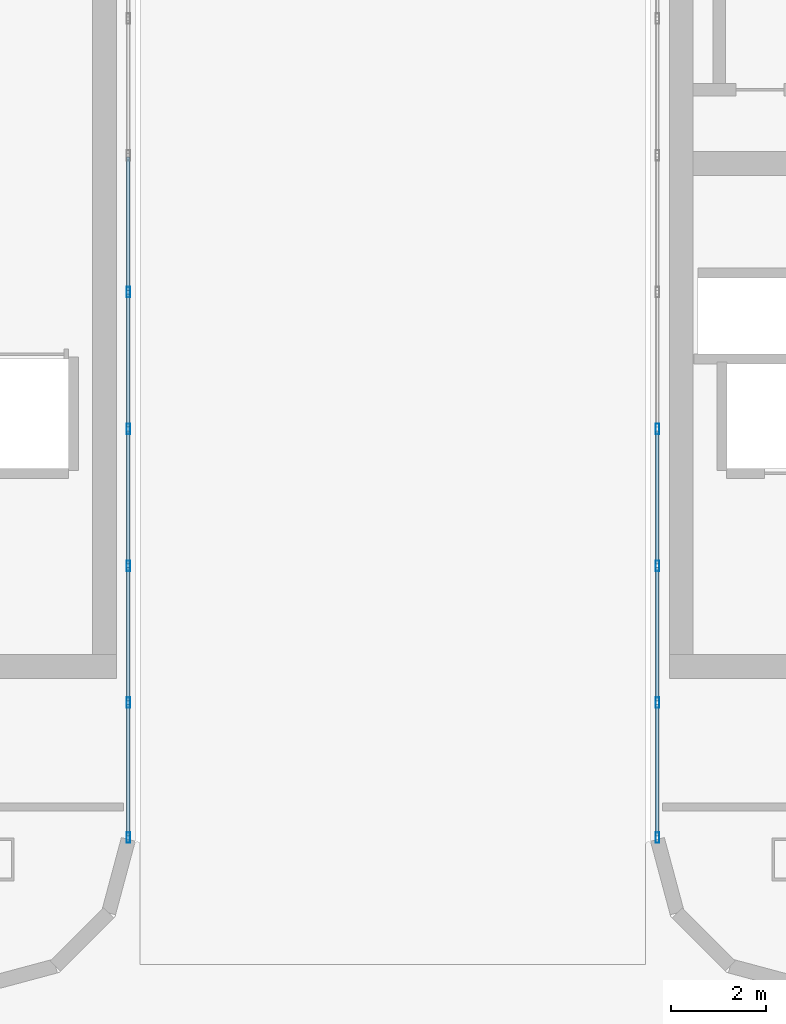
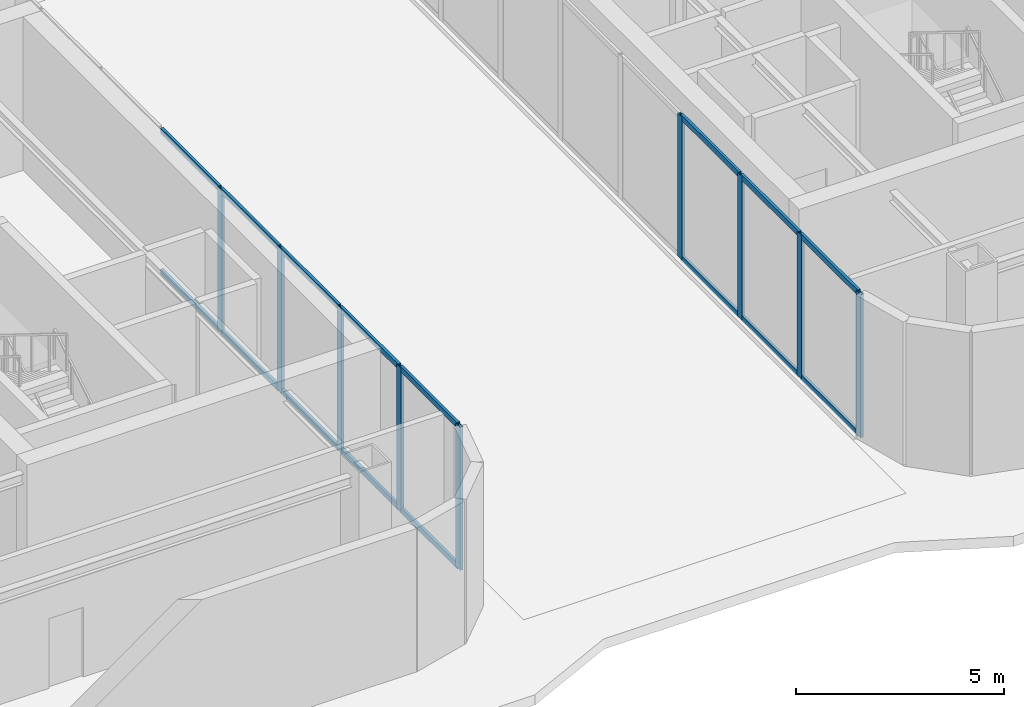
# One storey, part 2 of 14: 25 members, 2 elements without a shape of their own.
"""IFC4 building model written with IfcOpenShell, lengths in metres."""

from ifc_helpers import new_model, si_unit, direction, frame, origin, origin_2d, place, context, subcontext, project, spatial, hollow_rectangle, extrude, material, layer, layer_set, material_profile, profile_set, type_object, element, aggregate, save


model = new_model("IFC4")

# Units and contexts
model_context = context("Model", 3, precision=1e-05, world=origin(), true_north=direction((0.0, 1.0)))
body_context = subcontext(model_context, "Body", "Model", "MODEL_VIEW")
ifc_project = project(units=[si_unit("LENGTHUNIT", "METRE"), si_unit("AREAUNIT", "SQUARE_METRE"), si_unit("VOLUMEUNIT", "CUBIC_METRE"), si_unit("PLANEANGLEUNIT", "RADIAN"), si_unit("MASSUNIT", "GRAM", prefix="KILO")], contexts=[model_context])

# Site, building, storey
site_placement = place(None, origin())
site = spatial("IfcSite", under=ifc_project, at=site_placement, CompositionType="ELEMENT")
building_placement = place(site_placement, origin())
building = spatial("IfcBuilding", under=site, at=building_placement, Name="Kiyonajd Concourse Tower", CompositionType="ELEMENT")
storey_placement = place(building_placement, frame((0.0, 0.0, 354.89990234375)))
storey = spatial("IfcBuildingStorey", under=building, at=storey_placement, Name="L89", CompositionType="ELEMENT", Elevation=354.89990234375)

# Curtain wall, members
ifc_material = material(Name="Thermally Broken Anodised Aluminium", Category="aluminium")
ifc_layer = layer(ifc_material, 0.179931640625)
ifc_layer_set = layer_set([ifc_layer], Name="Thermally Broken Anodised Aluminium")
curtain_wall_type = type_object("IfcCurtainWallType", Name="CW-SYS-06", PredefinedType="NOTDEFINED", material=ifc_layer_set)
curtain_wall_1_placement = place(storey_placement, origin())
curtain_wall_1 = element("IfcCurtainWall", 1, at=curtain_wall_1_placement, inside=storey, type_object=curtain_wall_type, Name="L89 Unitised Curtain Wall CW6", PredefinedType="NOTDEFINED")
ifc_material_profile_1 = material_profile(ifc_material, hollow_rectangle(XDim=0.074951171875, YDim=0.219970703125, WallThickness=0.0048828125, at=origin_2d()), Name="MULL-75x220")
ifc_profile_set_1 = profile_set([ifc_material_profile_1], Name="Thermally Broken Anodised Aluminium")
member_type_1 = type_object("IfcMemberType", Name="MB-CW-MULL2", PredefinedType="MULLION", material=ifc_profile_set_1)
member_1_placement = place(storey_placement, frame((42.449951171875, 35.699951171875, 0.0), z_axis=(0.0, 0.0, 1.0), x_axis=(1.0, 0.0, 0.0)))
member_1 = element("IfcMember", 2, at=member_1_placement, type_object=member_type_1, Name="CW6 mullion 5", PredefinedType="MULLION", context=body_context, shape_type="SweptSolid", body=[
    extrude(hollow_rectangle(XDim=0.074951171875, YDim=0.219970703125, WallThickness=0.0048828125, at=origin_2d()), origin(), (0.0, 0.0, 1.0), 4.2001953125),
])
member_2_placement = place(storey_placement, frame((42.449951171875, 32.829833984375, 0.0), z_axis=(0.0, 0.0, 1.0), x_axis=(1.0, 0.0, 0.0)))
member_2 = element("IfcMember", 3, at=member_2_placement, type_object=member_type_1, Name="CW6 mullion 6", PredefinedType="MULLION", context=body_context, shape_type="SweptSolid", body=[
    extrude(hollow_rectangle(XDim=0.074951171875, YDim=0.219970703125, WallThickness=0.0048828125, at=origin_2d()), origin(), (0.0, 0.0, 1.0), 4.2001953125),
])
member_3_placement = place(storey_placement, frame((42.449951171875, 29.9599609375, 0.0), z_axis=(0.0, 0.0, 1.0), x_axis=(1.0, 0.0, 0.0)))
member_3 = element("IfcMember", 4, at=member_3_placement, type_object=member_type_1, Name="CW6 mullion 7", PredefinedType="MULLION", context=body_context, shape_type="SweptSolid", body=[
    extrude(hollow_rectangle(XDim=0.074951171875, YDim=0.219970703125, WallThickness=0.0048828125, at=origin_2d()), origin(), (0.0, 0.0, 1.0), 4.2001953125),
])
member_4_placement = place(storey_placement, frame((42.449951171875, 27.08984375, 0.0), z_axis=(0.0, 0.0, 1.0), x_axis=(1.0, 0.0, 0.0)))
member_4 = element("IfcMember", 5, at=member_4_placement, type_object=member_type_1, Name="CW6 mullion 8", PredefinedType="MULLION", context=body_context, shape_type="SweptSolid", body=[
    extrude(hollow_rectangle(XDim=0.074951171875, YDim=0.219970703125, WallThickness=0.0048828125, at=origin_2d()), origin(), (0.0, 0.0, 1.0), 4.2001953125),
])
member_5_placement = place(storey_placement, frame((42.449951171875, 24.25732421875, 0.0), z_axis=(0.0, 0.0, 1.0), x_axis=(1.0, 0.0, 0.0)))
member_5 = element("IfcMember", 6, at=member_5_placement, type_object=member_type_1, Name="CW6 mullion 9", PredefinedType="MULLION", context=body_context, shape_type="SweptSolid", body=[
    extrude(hollow_rectangle(XDim=0.074951171875, YDim=0.219970703125, WallThickness=0.0048828125, at=origin_2d()), origin(), (0.0, 0.0, 1.0), 4.2001953125),
])

curtain_wall_2_placement = place(storey_placement, origin())
curtain_wall_2 = element("IfcCurtainWall", 7, at=curtain_wall_2_placement, inside=storey, type_object=curtain_wall_type, Name="L89 Unitised Curtain Wall CW6", PredefinedType="NOTDEFINED")
member_6_placement = place(storey_placement, frame((53.550048828125, 24.25732421875, 0.0), z_axis=(0.0, 0.0, 1.0), x_axis=(-1.0, 0.0, 0.0)))
member_6 = element("IfcMember", 8, at=member_6_placement, type_object=member_type_1, Name="CW6 mullion 1", PredefinedType="MULLION", context=body_context, shape_type="SweptSolid", body=[
    extrude(hollow_rectangle(XDim=0.074951171875, YDim=0.219970703125, WallThickness=0.0048828125, at=origin_2d()), origin(), (0.0, 0.0, 1.0), 4.2001953125),
])
member_7_placement = place(storey_placement, frame((53.550048828125, 27.08984375, 0.0), z_axis=(0.0, 0.0, 1.0), x_axis=(-1.0, 0.0, 0.0)))
member_7 = element("IfcMember", 9, at=member_7_placement, type_object=member_type_1, Name="CW6 mullion 2", PredefinedType="MULLION", context=body_context, shape_type="SweptSolid", body=[
    extrude(hollow_rectangle(XDim=0.074951171875, YDim=0.219970703125, WallThickness=0.0048828125, at=origin_2d()), origin(), (0.0, 0.0, 1.0), 4.2001953125),
])
member_8_placement = place(storey_placement, frame((53.550048828125, 29.9599609375, 0.0), z_axis=(0.0, 0.0, 1.0), x_axis=(-1.0, 0.0, 0.0)))
member_8 = element("IfcMember", 10, at=member_8_placement, type_object=member_type_1, Name="CW6 mullion 3", PredefinedType="MULLION", context=body_context, shape_type="SweptSolid", body=[
    extrude(hollow_rectangle(XDim=0.074951171875, YDim=0.219970703125, WallThickness=0.0048828125, at=origin_2d()), origin(), (0.0, 0.0, 1.0), 4.2001953125),
])
member_9_placement = place(storey_placement, frame((53.550048828125, 32.829833984375, 0.0), z_axis=(0.0, 0.0, 1.0), x_axis=(-1.0, 0.0, 0.0)))
member_9 = element("IfcMember", 11, at=member_9_placement, type_object=member_type_1, Name="CW6 mullion 4", PredefinedType="MULLION", context=body_context, shape_type="SweptSolid", body=[
    extrude(hollow_rectangle(XDim=0.074951171875, YDim=0.219970703125, WallThickness=0.0048828125, at=origin_2d()), origin(), (0.0, 0.0, 1.0), 4.2001953125),
])

# Member
ifc_material_profile_2 = material_profile(ifc_material, hollow_rectangle(XDim=0.074951171875, YDim=0.159912109375, WallThickness=0.0048828125, at=origin_2d()), Name="TRAN-75x160")
ifc_profile_set_2 = profile_set([ifc_material_profile_2], Name="Thermally Broken Anodised Aluminium")
member_type_2 = type_object("IfcMemberType", Name="MB-CW-TRAN2", PredefinedType="USERDEFINED", material=ifc_profile_set_2)
member_10_placement = place(storey_placement, frame((42.449951171875, 38.532470703125, 0.03759765625), z_axis=(0.0, -1.0, 0.0), x_axis=(1.0, 0.0, 0.0)))
member_10 = element("IfcMember", 12, at=member_10_placement, type_object=member_type_2, Name="CW6 transom 4.1", ObjectType="TRANSOM", PredefinedType="USERDEFINED", context=body_context, shape_type="SweptSolid", body=[
    extrude(hollow_rectangle(XDim=0.074951171875, YDim=0.159912109375, WallThickness=0.0048828125, at=origin_2d()), origin(), (0.0, 0.0, 1.0), 2.794921875),
])

member_11_placement = place(storey_placement, frame((42.449951171875, 38.532470703125, 4.16259765625), z_axis=(0.0, -1.0, 0.0), x_axis=(1.0, 0.0, 0.0)))
member_11 = element("IfcMember", 13, at=member_11_placement, type_object=member_type_2, Name="CW6 transom 4.2", ObjectType="TRANSOM", PredefinedType="USERDEFINED", context=body_context, shape_type="SweptSolid", body=[
    extrude(hollow_rectangle(XDim=0.074951171875, YDim=0.159912109375, WallThickness=0.0048828125, at=origin_2d()), origin(), (0.0, 0.0, 1.0), 2.794921875),
])

member_12_placement = place(storey_placement, frame((42.449951171875, 35.66259765625, 0.03759765625), z_axis=(0.0, -1.0, 0.0), x_axis=(1.0, 0.0, 0.0)))
member_12 = element("IfcMember", 14, at=member_12_placement, type_object=member_type_2, Name="CW6 transom 5.1", ObjectType="TRANSOM", PredefinedType="USERDEFINED", context=body_context, shape_type="SweptSolid", body=[
    extrude(hollow_rectangle(XDim=0.074951171875, YDim=0.159912109375, WallThickness=0.0048828125, at=origin_2d()), origin(), (0.0, 0.0, 1.0), 2.795166015625),
])

member_13_placement = place(storey_placement, frame((42.449951171875, 35.66259765625, 4.16259765625), z_axis=(0.0, -1.0, 0.0), x_axis=(1.0, 0.0, 0.0)))
member_13 = element("IfcMember", 15, at=member_13_placement, type_object=member_type_2, Name="CW6 transom 5.2", ObjectType="TRANSOM", PredefinedType="USERDEFINED", context=body_context, shape_type="SweptSolid", body=[
    extrude(hollow_rectangle(XDim=0.074951171875, YDim=0.159912109375, WallThickness=0.0048828125, at=origin_2d()), origin(), (0.0, 0.0, 1.0), 2.795166015625),
])

member_14_placement = place(storey_placement, frame((42.449951171875, 32.79248046875, 0.03759765625), z_axis=(0.0, -1.0, 0.0), x_axis=(1.0, 0.0, 0.0)))
member_14 = element("IfcMember", 16, at=member_14_placement, type_object=member_type_2, Name="CW6 transom 6.1", ObjectType="TRANSOM", PredefinedType="USERDEFINED", context=body_context, shape_type="SweptSolid", body=[
    extrude(hollow_rectangle(XDim=0.074951171875, YDim=0.159912109375, WallThickness=0.0048828125, at=origin_2d()), origin(), (0.0, 0.0, 1.0), 2.795166015625),
])

member_15_placement = place(storey_placement, frame((42.449951171875, 32.79248046875, 4.16259765625), z_axis=(0.0, -1.0, 0.0), x_axis=(1.0, 0.0, 0.0)))
member_15 = element("IfcMember", 17, at=member_15_placement, type_object=member_type_2, Name="CW6 transom 6.2", ObjectType="TRANSOM", PredefinedType="USERDEFINED", context=body_context, shape_type="SweptSolid", body=[
    extrude(hollow_rectangle(XDim=0.074951171875, YDim=0.159912109375, WallThickness=0.0048828125, at=origin_2d()), origin(), (0.0, 0.0, 1.0), 2.795166015625),
])

member_16_placement = place(storey_placement, frame((42.449951171875, 29.92236328125, 0.03759765625), z_axis=(0.0, -1.0, 0.0), x_axis=(1.0, 0.0, 0.0)))
member_16 = element("IfcMember", 18, at=member_16_placement, type_object=member_type_2, Name="CW6 transom 7.1", ObjectType="TRANSOM", PredefinedType="USERDEFINED", context=body_context, shape_type="SweptSolid", body=[
    extrude(hollow_rectangle(XDim=0.074951171875, YDim=0.159912109375, WallThickness=0.0048828125, at=origin_2d()), origin(), (0.0, 0.0, 1.0), 2.794921875),
])

member_17_placement = place(storey_placement, frame((42.449951171875, 29.92236328125, 4.16259765625), z_axis=(0.0, -1.0, 0.0), x_axis=(1.0, 0.0, 0.0)))
member_17 = element("IfcMember", 19, at=member_17_placement, type_object=member_type_2, Name="CW6 transom 7.2", ObjectType="TRANSOM", PredefinedType="USERDEFINED", context=body_context, shape_type="SweptSolid", body=[
    extrude(hollow_rectangle(XDim=0.074951171875, YDim=0.159912109375, WallThickness=0.0048828125, at=origin_2d()), origin(), (0.0, 0.0, 1.0), 2.794921875),
])

member_18_placement = place(storey_placement, frame((42.449951171875, 27.05224609375, 0.03759765625), z_axis=(0.0, -1.0, 0.0), x_axis=(1.0, 0.0, 0.0)))
member_18 = element("IfcMember", 20, at=member_18_placement, type_object=member_type_2, Name="CW6 transom 8.1", ObjectType="TRANSOM", PredefinedType="USERDEFINED", context=body_context, shape_type="SweptSolid", body=[
    extrude(hollow_rectangle(XDim=0.074951171875, YDim=0.159912109375, WallThickness=0.0048828125, at=origin_2d()), origin(), (0.0, 0.0, 1.0), 2.75732421875),
])

member_19_placement = place(storey_placement, frame((42.449951171875, 27.05224609375, 4.16259765625), z_axis=(0.0, -1.0, 0.0), x_axis=(1.0, 0.0, 0.0)))
member_19 = element("IfcMember", 21, at=member_19_placement, type_object=member_type_2, Name="CW6 transom 8.2", ObjectType="TRANSOM", PredefinedType="USERDEFINED", context=body_context, shape_type="SweptSolid", body=[
    extrude(hollow_rectangle(XDim=0.074951171875, YDim=0.159912109375, WallThickness=0.0048828125, at=origin_2d()), origin(), (0.0, 0.0, 1.0), 2.75732421875),
])

aggregate(curtain_wall_1, [member_1, member_2, member_3, member_4, member_5, member_10, member_11, member_12, member_13, member_14, member_15, member_16, member_17, member_18, member_19])

member_20_placement = place(storey_placement, frame((53.550048828125, 24.294921875, 0.03759765625), z_axis=(0.0, 1.0, 0.0), x_axis=(-1.0, 0.0, 0.0)))
member_20 = element("IfcMember", 22, at=member_20_placement, type_object=member_type_2, Name="CW6 transom 1.1", ObjectType="TRANSOM", PredefinedType="USERDEFINED", context=body_context, shape_type="SweptSolid", body=[
    extrude(hollow_rectangle(XDim=0.074951171875, YDim=0.159912109375, WallThickness=0.0048828125, at=origin_2d()), origin(), (0.0, 0.0, 1.0), 2.75732421875),
])

member_21_placement = place(storey_placement, frame((53.550048828125, 24.294921875, 4.16259765625), z_axis=(0.0, 1.0, 0.0), x_axis=(-1.0, 0.0, 0.0)))
member_21 = element("IfcMember", 23, at=member_21_placement, type_object=member_type_2, Name="CW6 transom 1.2", ObjectType="TRANSOM", PredefinedType="USERDEFINED", context=body_context, shape_type="SweptSolid", body=[
    extrude(hollow_rectangle(XDim=0.074951171875, YDim=0.159912109375, WallThickness=0.0048828125, at=origin_2d()), origin(), (0.0, 0.0, 1.0), 2.75732421875),
])

member_22_placement = place(storey_placement, frame((53.550048828125, 27.12744140625, 0.03759765625), z_axis=(0.0, 1.0, 0.0), x_axis=(-1.0, 0.0, 0.0)))
member_22 = element("IfcMember", 24, at=member_22_placement, type_object=member_type_2, Name="CW6 transom 2.1", ObjectType="TRANSOM", PredefinedType="USERDEFINED", context=body_context, shape_type="SweptSolid", body=[
    extrude(hollow_rectangle(XDim=0.074951171875, YDim=0.159912109375, WallThickness=0.0048828125, at=origin_2d()), origin(), (0.0, 0.0, 1.0), 2.794921875),
])

member_23_placement = place(storey_placement, frame((53.550048828125, 27.12744140625, 4.16259765625), z_axis=(0.0, 1.0, 0.0), x_axis=(-1.0, 0.0, 0.0)))
member_23 = element("IfcMember", 25, at=member_23_placement, type_object=member_type_2, Name="CW6 transom 2.2", ObjectType="TRANSOM", PredefinedType="USERDEFINED", context=body_context, shape_type="SweptSolid", body=[
    extrude(hollow_rectangle(XDim=0.074951171875, YDim=0.159912109375, WallThickness=0.0048828125, at=origin_2d()), origin(), (0.0, 0.0, 1.0), 2.794921875),
])

member_24_placement = place(storey_placement, frame((53.550048828125, 29.997314453125, 0.03759765625), z_axis=(0.0, 1.0, 0.0), x_axis=(-1.0, 0.0, 0.0)))
member_24 = element("IfcMember", 26, at=member_24_placement, type_object=member_type_2, Name="CW6 transom 3.1", ObjectType="TRANSOM", PredefinedType="USERDEFINED", context=body_context, shape_type="SweptSolid", body=[
    extrude(hollow_rectangle(XDim=0.074951171875, YDim=0.159912109375, WallThickness=0.0048828125, at=origin_2d()), origin(), (0.0, 0.0, 1.0), 2.795166015625),
])

member_25_placement = place(storey_placement, frame((53.550048828125, 29.997314453125, 4.16259765625), z_axis=(0.0, 1.0, 0.0), x_axis=(-1.0, 0.0, 0.0)))
member_25 = element("IfcMember", 27, at=member_25_placement, type_object=member_type_2, Name="CW6 transom 3.2", ObjectType="TRANSOM", PredefinedType="USERDEFINED", context=body_context, shape_type="SweptSolid", body=[
    extrude(hollow_rectangle(XDim=0.074951171875, YDim=0.159912109375, WallThickness=0.0048828125, at=origin_2d()), origin(), (0.0, 0.0, 1.0), 2.795166015625),
])

aggregate(curtain_wall_2, [member_6, member_7, member_8, member_9, member_20, member_21, member_22, member_23, member_24, member_25])

save(model, "model.ifc")
